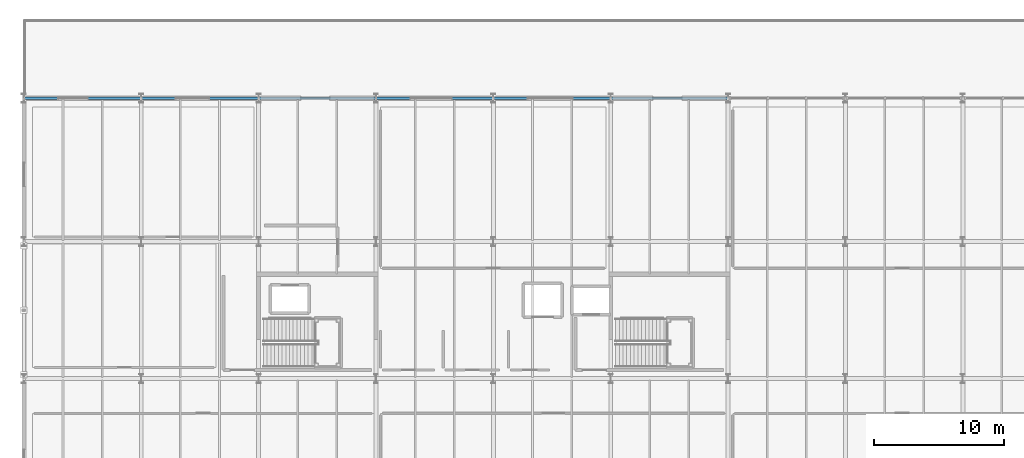
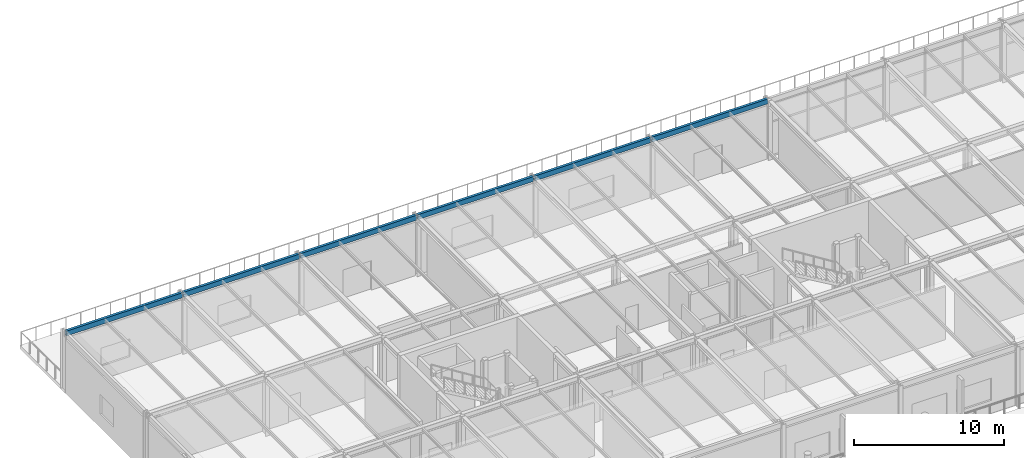
# One storey, part 66 of 143: 6 beams.
"""IFC4 building model written with IfcOpenShell, lengths in metres."""

from ifc_helpers import new_model, si_unit, direction, frame, origin, origin_2d, place, context, subcontext, project, spatial, hollow_rectangle, extrude, material, material_profile, profile_set, type_object, element, save


model = new_model("IFC4")

# Units and contexts
model_context = context("Model", 3, precision=1e-05, world=origin(), true_north=direction((0.0, 1.0)))
body_context = subcontext(model_context, "Body", "Model", "MODEL_VIEW")
ifc_project = project(units=[si_unit("LENGTHUNIT", "METRE"), si_unit("AREAUNIT", "SQUARE_METRE"), si_unit("VOLUMEUNIT", "CUBIC_METRE"), si_unit("PLANEANGLEUNIT", "RADIAN"), si_unit("MASSUNIT", "GRAM", prefix="KILO")], contexts=[model_context])

# Site, building, storey
site_placement = place(None, origin())
site = spatial("IfcSite", under=ifc_project, at=site_placement, CompositionType="ELEMENT")
building_placement = place(site_placement, origin())
building = spatial("IfcBuilding", under=site, at=building_placement, Name="Marlcrest Central Station", CompositionType="ELEMENT")
storey_placement = place(building_placement, frame((0.0, 0.0, 4.800048828125)))
storey = spatial("IfcBuildingStorey", under=building, at=storey_placement, Name="L01", CompositionType="ELEMENT", Elevation=4.800048828125)

# Beams
ifc_material = material(Name="Steel S355", Category="steel")
ifc_material_profile = material_profile(ifc_material, hollow_rectangle(XDim=0.199951171875, YDim=0.39990234375, WallThickness=0.01611328125, at=origin_2d()), Name="RHS 400x200x16")
ifc_profile_set = profile_set([ifc_material_profile], Name="Steel S355")
beam_type = type_object("IfcBeamType", Name="SP-01", PredefinedType="SPANDREL", material=ifc_profile_set)
for number, where, z_axis, x_axis, name in (
    (1, (0.050048828125, 132.0, 4.619873046875), (1.0, 0.0, 0.0), (0.0, 1.0, 0.0), "bm-SP-01-L01-00255"),
    (2, (9.050048828125, 132.0, 4.619873046875), (1.0, 0.0, 0.0), (0.0, 1.0, 0.0), "bm-SP-01-L01-00256"),
    (3, (18.050048828125, 132.0, 4.619873046875), (1.0, 0.0, 0.0), (0.0, 1.0, 0.0), "bm-SP-01-L01-00257"),
    (4, (27.050048828125, 132.0, 4.619873046875), (1.0, 0.0, 0.0), (0.0, 1.0, 0.0), "bm-SP-01-L01-00258"),
    (5, (36.050048828125, 132.0, 4.619873046875), (1.0, 0.0, 0.0), (0.0, 1.0, 0.0), "bm-SP-01-L01-00259"),
    (6, (45.050048828125, 132.0, 4.619873046875), (1.0, 0.0, 0.0), (0.0, 1.0, 0.0), "bm-SP-01-L01-00260"),
):
    element("IfcBeam", number, at=place(storey_placement, frame(where, z_axis=z_axis, x_axis=x_axis)), inside=storey, type_object=beam_type, Name=name, PredefinedType="SPANDREL", context=body_context, shape_type="SweptSolid", body=[
        extrude(hollow_rectangle(XDim=0.199951171875, YDim=0.39990234375, WallThickness=0.01611328125, at=origin_2d()), origin(), (0.0, 0.0, 1.0), 8.89990234375),
    ])

save(model, "model.ifc")
